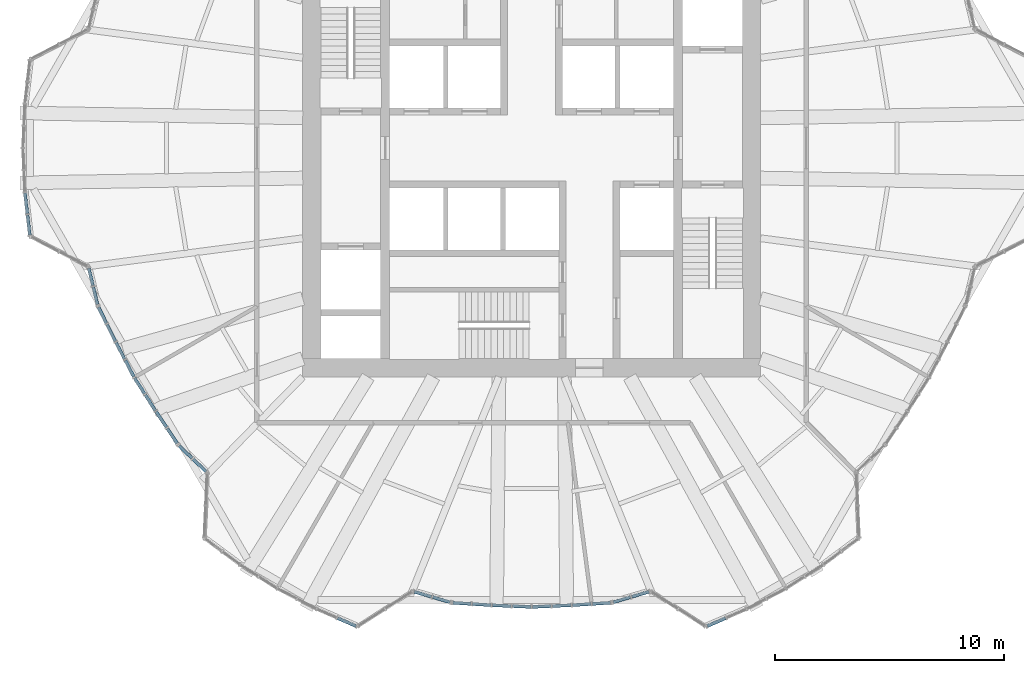
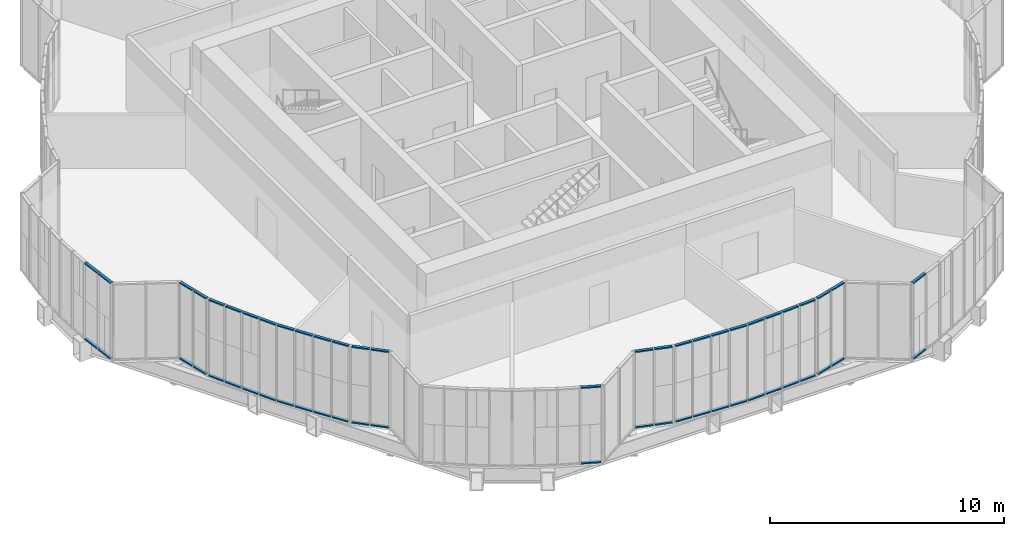
# One storey, part 9 of 24: 56 members, 15 elements without a shape of their own.
"""IFC4 building model written with IfcOpenShell, lengths in metres."""

from ifc_helpers import new_model, si_unit, direction, frame, origin, origin_2d, place, context, subcontext, project, spatial, rectangle, extrude, material, material_profile, profile_set, type_object, element, aggregate, save


model = new_model("IFC4")

# Units and contexts
model_context = context("Model", 3, precision=1e-05, world=origin(), true_north=direction((0.0, 1.0)))
body_context = subcontext(model_context, "Body", "Model", "MODEL_VIEW")
ifc_project = project(units=[si_unit("LENGTHUNIT", "METRE"), si_unit("AREAUNIT", "SQUARE_METRE"), si_unit("VOLUMEUNIT", "CUBIC_METRE"), si_unit("PLANEANGLEUNIT", "RADIAN"), si_unit("MASSUNIT", "GRAM", prefix="KILO")], contexts=[model_context])

# Site, building, storey
site_placement = place(None, origin())
site = spatial("IfcSite", under=ifc_project, at=site_placement, CompositionType="ELEMENT")
building_placement = place(site_placement, origin())
building = spatial("IfcBuilding", under=site, at=building_placement, Name="Golbaran Civic Tower", CompositionType="ELEMENT")
storey_placement = place(building_placement, frame((0.0, 0.0, 25.0)))
storey = spatial("IfcBuildingStorey", under=building, at=storey_placement, Name="L05", CompositionType="ELEMENT", Elevation=25.0)

# Curtain wall, members
ifc_material_1 = material(Name="Aluminium and glass", Category="aluminium")
curtain_wall_type = type_object("IfcCurtainWallType", Name="INNER SKIN CURTAIN WALL", PredefinedType="NOTDEFINED", material=ifc_material_1)
curtain_wall_1_placement = place(storey_placement, origin())
curtain_wall_1 = element("IfcCurtainWall", 1, at=curtain_wall_1_placement, inside=storey, type_object=curtain_wall_type, Name="Inner skin L05 facet 38 CW1", ObjectType="INNER SKIN", PredefinedType="USERDEFINED")
ifc_material_2 = material(Name="Aluminium", Category="aluminium")
ifc_material_profile = material_profile(ifc_material_2, rectangle(XDim=0.139892578125, YDim=0.06494140625, at=origin_2d()), Name="INNER SKIN CURTAIN WALL TRANSOM")
ifc_profile_set = profile_set([ifc_material_profile], Name="Aluminium")
member_type = type_object("IfcMemberType", Name="INNER SKIN CURTAIN WALL TRANSOM", PredefinedType="USERDEFINED", material=ifc_profile_set)
member_1_placement = place(storey_placement, frame((-22.1328125, -1.968994140625, 0.032470703125), z_axis=(0.11490051684, -0.993377003574, 0.0), x_axis=(0.993377003574, 0.11490051684, 0.0)))
member_1 = element("IfcMember", 2, at=member_1_placement, type_object=member_type, Name="CW1 transom 1.1", ObjectType="TRANSOM", PredefinedType="USERDEFINED", context=body_context, shape_type="SweptSolid", body=[
    extrude(rectangle(XDim=0.139892578125, YDim=0.06494140625, at=origin_2d()), origin(), (0.0, 0.0, 1.0), 0.9052734375),
])
member_2_placement = place(storey_placement, frame((-22.1328125, -1.968994140625, 3.967529296875), z_axis=(0.11490051684, -0.993377003574, 0.0), x_axis=(0.993377003574, 0.11490051684, 0.0)))
member_2 = element("IfcMember", 3, at=member_2_placement, type_object=member_type, Name="CW1 transom 1.2", ObjectType="TRANSOM", PredefinedType="USERDEFINED", context=body_context, shape_type="SweptSolid", body=[
    extrude(rectangle(XDim=0.139892578125, YDim=0.06494140625, at=origin_2d()), origin(), (0.0, 0.0, 1.0), 0.9052734375),
])
member_3_placement = place(storey_placement, frame((-22.021484375, -2.9326171875, 0.032470703125), z_axis=(0.114698436008, -0.993400356743, 0.0), x_axis=(0.993400356743, 0.114698436008, 0.0)))
member_3 = element("IfcMember", 4, at=member_3_placement, type_object=member_type, Name="CW1 transom 2.1", ObjectType="TRANSOM", PredefinedType="USERDEFINED", context=body_context, shape_type="SweptSolid", body=[
    extrude(rectangle(XDim=0.139892578125, YDim=0.06494140625, at=origin_2d()), origin(), (0.0, 0.0, 1.0), 0.872802734375),
])
member_4_placement = place(storey_placement, frame((-22.021484375, -2.9326171875, 3.967529296875), z_axis=(0.114698436008, -0.993400356743, 0.0), x_axis=(0.993400356743, 0.114698436008, 0.0)))
member_4 = element("IfcMember", 5, at=member_4_placement, type_object=member_type, Name="CW1 transom 2.2", ObjectType="TRANSOM", PredefinedType="USERDEFINED", context=body_context, shape_type="SweptSolid", body=[
    extrude(rectangle(XDim=0.139892578125, YDim=0.06494140625, at=origin_2d()), origin(), (0.0, 0.0, 1.0), 0.872802734375),
])
aggregate(curtain_wall_1, [member_1, member_2, member_3, member_4])

curtain_wall_2_placement = place(storey_placement, origin())
curtain_wall_2 = element("IfcCurtainWall", 6, at=curtain_wall_2_placement, inside=storey, type_object=curtain_wall_type, Name="Inner skin L05 facet 40 CW1", ObjectType="INNER SKIN", PredefinedType="USERDEFINED")
member_5_placement = place(storey_placement, frame((-19.3486328125, -5.251708984375, 0.032470703125), z_axis=(0.235546378815, -0.971863109407, 0.0), x_axis=(0.971863109407, 0.235546378815, 0.0)))
member_5 = element("IfcMember", 7, at=member_5_placement, type_object=member_type, Name="CW1 transom 1.1", ObjectType="TRANSOM", PredefinedType="USERDEFINED", context=body_context, shape_type="SweptSolid", body=[
    extrude(rectangle(XDim=0.139892578125, YDim=0.06494140625, at=origin_2d()), origin(), (0.0, 0.0, 1.0), 0.781494140625),
])
member_6_placement = place(storey_placement, frame((-19.3486328125, -5.251708984375, 3.967529296875), z_axis=(0.235546378815, -0.971863109407, 0.0), x_axis=(0.971863109407, 0.235546378815, 0.0)))
member_6 = element("IfcMember", 8, at=member_6_placement, type_object=member_type, Name="CW1 transom 1.2", ObjectType="TRANSOM", PredefinedType="USERDEFINED", context=body_context, shape_type="SweptSolid", body=[
    extrude(rectangle(XDim=0.139892578125, YDim=0.06494140625, at=origin_2d()), origin(), (0.0, 0.0, 1.0), 0.781494140625),
])
member_7_placement = place(storey_placement, frame((-19.149169921875, -6.074462890625, 0.032470703125), z_axis=(0.235546378815, -0.971863109407, 0.0), x_axis=(0.971863109407, 0.235546378815, 0.0)))
member_7 = element("IfcMember", 9, at=member_7_placement, type_object=member_type, Name="CW1 transom 2.1", ObjectType="TRANSOM", PredefinedType="USERDEFINED", context=body_context, shape_type="SweptSolid", body=[
    extrude(rectangle(XDim=0.139892578125, YDim=0.06494140625, at=origin_2d()), origin(), (0.0, 0.0, 1.0), 0.781494140625),
])
member_8_placement = place(storey_placement, frame((-19.149169921875, -6.074462890625, 3.967529296875), z_axis=(0.235546378815, -0.971863109407, 0.0), x_axis=(0.971863109407, 0.235546378815, 0.0)))
member_8 = element("IfcMember", 10, at=member_8_placement, type_object=member_type, Name="CW1 transom 2.2", ObjectType="TRANSOM", PredefinedType="USERDEFINED", context=body_context, shape_type="SweptSolid", body=[
    extrude(rectangle(XDim=0.139892578125, YDim=0.06494140625, at=origin_2d()), origin(), (0.0, 0.0, 1.0), 0.781494140625),
])
aggregate(curtain_wall_2, [member_5, member_6, member_7, member_8])

curtain_wall_3_placement = place(storey_placement, origin())
curtain_wall_3 = element("IfcCurtainWall", 11, at=curtain_wall_3_placement, inside=storey, type_object=curtain_wall_type, Name="Inner skin L05 facet 41 CW1", ObjectType="INNER SKIN", PredefinedType="USERDEFINED")
member_9_placement = place(storey_placement, frame((-18.9208984375, -6.955322265625, 0.032470703125), z_axis=(0.44421218096, -0.895921613919, 0.0), x_axis=(0.895921613919, 0.44421218096, 0.0)))
member_9 = element("IfcMember", 12, at=member_9_placement, type_object=member_type, Name="CW1 transom 1.1", ObjectType="TRANSOM", PredefinedType="USERDEFINED", context=body_context, shape_type="SweptSolid", body=[
    extrude(rectangle(XDim=0.139892578125, YDim=0.06494140625, at=origin_2d()), origin(), (0.0, 0.0, 1.0), 0.781494140625),
])
member_10_placement = place(storey_placement, frame((-18.9208984375, -6.955322265625, 3.967529296875), z_axis=(0.44421218096, -0.895921613919, 0.0), x_axis=(0.895921613919, 0.44421218096, 0.0)))
member_10 = element("IfcMember", 13, at=member_10_placement, type_object=member_type, Name="CW1 transom 1.2", ObjectType="TRANSOM", PredefinedType="USERDEFINED", context=body_context, shape_type="SweptSolid", body=[
    extrude(rectangle(XDim=0.139892578125, YDim=0.06494140625, at=origin_2d()), origin(), (0.0, 0.0, 1.0), 0.781494140625),
])
member_11_placement = place(storey_placement, frame((-18.544921875, -7.7138671875, 0.032470703125), z_axis=(0.444452384099, -0.895802477262, 0.0), x_axis=(0.895802477262, 0.444452384099, 0.0)))
member_11 = element("IfcMember", 14, at=member_11_placement, type_object=member_type, Name="CW1 transom 2.1", ObjectType="TRANSOM", PredefinedType="USERDEFINED", context=body_context, shape_type="SweptSolid", body=[
    extrude(rectangle(XDim=0.139892578125, YDim=0.06494140625, at=origin_2d()), origin(), (0.0, 0.0, 1.0), 0.81396484375),
])
member_12_placement = place(storey_placement, frame((-18.544921875, -7.7138671875, 3.967529296875), z_axis=(0.444452384099, -0.895802477262, 0.0), x_axis=(0.895802477262, 0.444452384099, 0.0)))
member_12 = element("IfcMember", 15, at=member_12_placement, type_object=member_type, Name="CW1 transom 2.2", ObjectType="TRANSOM", PredefinedType="USERDEFINED", context=body_context, shape_type="SweptSolid", body=[
    extrude(rectangle(XDim=0.139892578125, YDim=0.06494140625, at=origin_2d()), origin(), (0.0, 0.0, 1.0), 0.81396484375),
])
aggregate(curtain_wall_3, [member_9, member_10, member_11, member_12])

curtain_wall_4_placement = place(storey_placement, origin())
curtain_wall_4 = element("IfcCurtainWall", 16, at=curtain_wall_4_placement, inside=storey, type_object=curtain_wall_type, Name="Inner skin L05 facet 42 CW1", ObjectType="INNER SKIN", PredefinedType="USERDEFINED")
member_13_placement = place(storey_placement, frame((-18.15380859375, -8.5009765625, 0.032470703125), z_axis=(0.461751533004, -0.887009313237, 0.0), x_axis=(0.887009313237, 0.461751533004, 0.0)))
member_13 = element("IfcMember", 17, at=member_13_placement, type_object=member_type, Name="CW1 transom 1.1", ObjectType="TRANSOM", PredefinedType="USERDEFINED", context=body_context, shape_type="SweptSolid", body=[
    extrude(rectangle(XDim=0.139892578125, YDim=0.06494140625, at=origin_2d()), origin(), (0.0, 0.0, 1.0), 0.8095703125),
])
member_14_placement = place(storey_placement, frame((-18.15380859375, -8.5009765625, 3.967529296875), z_axis=(0.461751533004, -0.887009313237, 0.0), x_axis=(0.887009313237, 0.461751533004, 0.0)))
member_14 = element("IfcMember", 18, at=member_14_placement, type_object=member_type, Name="CW1 transom 1.2", ObjectType="TRANSOM", PredefinedType="USERDEFINED", context=body_context, shape_type="SweptSolid", body=[
    extrude(rectangle(XDim=0.139892578125, YDim=0.06494140625, at=origin_2d()), origin(), (0.0, 0.0, 1.0), 0.8095703125),
])
member_15_placement = place(storey_placement, frame((-17.75, -9.276611328125, 0.032470703125), z_axis=(0.461751533004, -0.887009313237, 0.0), x_axis=(0.887009313237, 0.461751533004, 0.0)))
member_15 = element("IfcMember", 19, at=member_15_placement, type_object=member_type, Name="CW1 transom 2.1", ObjectType="TRANSOM", PredefinedType="USERDEFINED", context=body_context, shape_type="SweptSolid", body=[
    extrude(rectangle(XDim=0.139892578125, YDim=0.06494140625, at=origin_2d()), origin(), (0.0, 0.0, 1.0), 0.8095703125),
])
member_16_placement = place(storey_placement, frame((-17.75, -9.276611328125, 3.967529296875), z_axis=(0.461751533004, -0.887009313237, 0.0), x_axis=(0.887009313237, 0.461751533004, 0.0)))
member_16 = element("IfcMember", 20, at=member_16_placement, type_object=member_type, Name="CW1 transom 2.2", ObjectType="TRANSOM", PredefinedType="USERDEFINED", context=body_context, shape_type="SweptSolid", body=[
    extrude(rectangle(XDim=0.139892578125, YDim=0.06494140625, at=origin_2d()), origin(), (0.0, 0.0, 1.0), 0.8095703125),
])
aggregate(curtain_wall_4, [member_13, member_14, member_15, member_16])

curtain_wall_5_placement = place(storey_placement, origin())
curtain_wall_5 = element("IfcCurtainWall", 21, at=curtain_wall_5_placement, inside=storey, type_object=curtain_wall_type, Name="Inner skin L05 facet 43 CW1", ObjectType="INNER SKIN", PredefinedType="USERDEFINED")
member_17_placement = place(storey_placement, frame((-17.34375, -10.051025390625, 0.032470703125), z_axis=(0.537246297661, -0.843425406097, 0.0), x_axis=(0.843425406097, 0.537246297661, 0.0)))
member_17 = element("IfcMember", 22, at=member_17_placement, type_object=member_type, Name="CW1 transom 1.1", ObjectType="TRANSOM", PredefinedType="USERDEFINED", context=body_context, shape_type="SweptSolid", body=[
    extrude(rectangle(XDim=0.139892578125, YDim=0.06494140625, at=origin_2d()), origin(), (0.0, 0.0, 1.0), 0.809326171875),
])
member_18_placement = place(storey_placement, frame((-17.34375, -10.051025390625, 3.967529296875), z_axis=(0.537246297661, -0.843425406097, 0.0), x_axis=(0.843425406097, 0.537246297661, 0.0)))
member_18 = element("IfcMember", 23, at=member_18_placement, type_object=member_type, Name="CW1 transom 1.2", ObjectType="TRANSOM", PredefinedType="USERDEFINED", context=body_context, shape_type="SweptSolid", body=[
    extrude(rectangle(XDim=0.139892578125, YDim=0.06494140625, at=origin_2d()), origin(), (0.0, 0.0, 1.0), 0.809326171875),
])
member_19_placement = place(storey_placement, frame((-16.8740234375, -10.788330078125, 0.032470703125), z_axis=(0.537324161916, -0.843375802962, 0.0), x_axis=(0.843375802962, 0.537324161916, 0.0)))
member_19 = element("IfcMember", 24, at=member_19_placement, type_object=member_type, Name="CW1 transom 2.1", ObjectType="TRANSOM", PredefinedType="USERDEFINED", context=body_context, shape_type="SweptSolid", body=[
    extrude(rectangle(XDim=0.139892578125, YDim=0.06494140625, at=origin_2d()), origin(), (0.0, 0.0, 1.0), 0.8095703125),
])
member_20_placement = place(storey_placement, frame((-16.8740234375, -10.788330078125, 3.967529296875), z_axis=(0.537324161916, -0.843375802962, 0.0), x_axis=(0.843375802962, 0.537324161916, 0.0)))
member_20 = element("IfcMember", 25, at=member_20_placement, type_object=member_type, Name="CW1 transom 2.2", ObjectType="TRANSOM", PredefinedType="USERDEFINED", context=body_context, shape_type="SweptSolid", body=[
    extrude(rectangle(XDim=0.139892578125, YDim=0.06494140625, at=origin_2d()), origin(), (0.0, 0.0, 1.0), 0.8095703125),
])
aggregate(curtain_wall_5, [member_17, member_18, member_19, member_20])

curtain_wall_6_placement = place(storey_placement, origin())
curtain_wall_6 = element("IfcCurtainWall", 26, at=curtain_wall_6_placement, inside=storey, type_object=curtain_wall_type, Name="Inner skin L05 facet 44 CW1", ObjectType="INNER SKIN", PredefinedType="USERDEFINED")
member_21_placement = place(storey_placement, frame((-16.403564453125, -11.525634765625, 0.032470703125), z_axis=(0.553730710474, -0.832695802966, 0.0), x_axis=(0.832695802966, 0.553730710474, 0.0)))
member_21 = element("IfcMember", 27, at=member_21_placement, type_object=member_type, Name="CW1 transom 1.1", ObjectType="TRANSOM", PredefinedType="USERDEFINED", context=body_context, shape_type="SweptSolid", body=[
    extrude(rectangle(XDim=0.139892578125, YDim=0.06494140625, at=origin_2d()), origin(), (0.0, 0.0, 1.0), 0.81396484375),
])
member_22_placement = place(storey_placement, frame((-16.403564453125, -11.525634765625, 3.967529296875), z_axis=(0.553730710474, -0.832695802966, 0.0), x_axis=(0.832695802966, 0.553730710474, 0.0)))
member_22 = element("IfcMember", 28, at=member_22_placement, type_object=member_type, Name="CW1 transom 1.2", ObjectType="TRANSOM", PredefinedType="USERDEFINED", context=body_context, shape_type="SweptSolid", body=[
    extrude(rectangle(XDim=0.139892578125, YDim=0.06494140625, at=origin_2d()), origin(), (0.0, 0.0, 1.0), 0.81396484375),
])
member_23_placement = place(storey_placement, frame((-15.916748046875, -12.257568359375, 0.032470703125), z_axis=(0.553546241668, -0.8328184426, 0.0), x_axis=(0.8328184426, 0.553546241668, 0.0)))
member_23 = element("IfcMember", 29, at=member_23_placement, type_object=member_type, Name="CW1 transom 2.1", ObjectType="TRANSOM", PredefinedType="USERDEFINED", context=body_context, shape_type="SweptSolid", body=[
    extrude(rectangle(XDim=0.139892578125, YDim=0.06494140625, at=origin_2d()), origin(), (0.0, 0.0, 1.0), 0.781494140625),
])
member_24_placement = place(storey_placement, frame((-15.916748046875, -12.257568359375, 3.967529296875), z_axis=(0.553546241668, -0.8328184426, 0.0), x_axis=(0.8328184426, 0.553546241668, 0.0)))
member_24 = element("IfcMember", 30, at=member_24_placement, type_object=member_type, Name="CW1 transom 2.2", ObjectType="TRANSOM", PredefinedType="USERDEFINED", context=body_context, shape_type="SweptSolid", body=[
    extrude(rectangle(XDim=0.139892578125, YDim=0.06494140625, at=origin_2d()), origin(), (0.0, 0.0, 1.0), 0.781494140625),
])
aggregate(curtain_wall_6, [member_21, member_22, member_23, member_24])

curtain_wall_7_placement = place(storey_placement, origin())
curtain_wall_7 = element("IfcCurtainWall", 31, at=curtain_wall_7_placement, inside=storey, type_object=curtain_wall_type, Name="Inner skin L05 facet 45 CW1", ObjectType="INNER SKIN", PredefinedType="USERDEFINED")
member_25_placement = place(storey_placement, frame((-15.40087890625, -13.00732421875, 0.032470703125), z_axis=(0.723929850594, -0.689873590898, 0.0), x_axis=(0.689873590898, 0.723929850594, 0.0)))
member_25 = element("IfcMember", 32, at=member_25_placement, type_object=member_type, Name="CW1 transom 1.1", ObjectType="TRANSOM", PredefinedType="USERDEFINED", context=body_context, shape_type="SweptSolid", body=[
    extrude(rectangle(XDim=0.139892578125, YDim=0.06494140625, at=origin_2d()), origin(), (0.0, 0.0, 1.0), 0.781494140625),
])
member_26_placement = place(storey_placement, frame((-15.40087890625, -13.00732421875, 3.967529296875), z_axis=(0.723929850594, -0.689873590898, 0.0), x_axis=(0.689873590898, 0.723929850594, 0.0)))
member_26 = element("IfcMember", 33, at=member_26_placement, type_object=member_type, Name="CW1 transom 1.2", ObjectType="TRANSOM", PredefinedType="USERDEFINED", context=body_context, shape_type="SweptSolid", body=[
    extrude(rectangle(XDim=0.139892578125, YDim=0.06494140625, at=origin_2d()), origin(), (0.0, 0.0, 1.0), 0.781494140625),
])
member_27_placement = place(storey_placement, frame((-14.7880859375, -13.59130859375, 0.032470703125), z_axis=(0.72377382553, -0.690037281223, 0.0), x_axis=(0.690037281223, 0.72377382553, 0.0)))
member_27 = element("IfcMember", 34, at=member_27_placement, type_object=member_type, Name="CW1 transom 2.1", ObjectType="TRANSOM", PredefinedType="USERDEFINED", context=body_context, shape_type="SweptSolid", body=[
    extrude(rectangle(XDim=0.139892578125, YDim=0.06494140625, at=origin_2d()), origin(), (0.0, 0.0, 1.0), 0.781494140625),
])
member_28_placement = place(storey_placement, frame((-14.7880859375, -13.59130859375, 3.967529296875), z_axis=(0.72377382553, -0.690037281223, 0.0), x_axis=(0.690037281223, 0.72377382553, 0.0)))
member_28 = element("IfcMember", 35, at=member_28_placement, type_object=member_type, Name="CW1 transom 2.2", ObjectType="TRANSOM", PredefinedType="USERDEFINED", context=body_context, shape_type="SweptSolid", body=[
    extrude(rectangle(XDim=0.139892578125, YDim=0.06494140625, at=origin_2d()), origin(), (0.0, 0.0, 1.0), 0.781494140625),
])
aggregate(curtain_wall_7, [member_25, member_26, member_27, member_28])

curtain_wall_8_placement = place(storey_placement, origin())
curtain_wall_8 = element("IfcCurtainWall", 36, at=curtain_wall_8_placement, inside=storey, type_object=curtain_wall_type, Name="Inner skin L05 facet 50 CW1", ObjectType="INNER SKIN", PredefinedType="USERDEFINED")
member_29_placement = place(storey_placement, frame((-8.470947265625, -20.537353515625, 0.032470703125), z_axis=(0.917589642421, -0.397528927402, 0.0), x_axis=(0.397528927402, 0.917589642421, 0.0)))
member_29 = element("IfcMember", 37, at=member_29_placement, type_object=member_type, Name="CW1 transom 2.1", ObjectType="TRANSOM", PredefinedType="USERDEFINED", context=body_context, shape_type="SweptSolid", body=[
    extrude(rectangle(XDim=0.139892578125, YDim=0.06494140625, at=origin_2d()), origin(), (0.0, 0.0, 1.0), 0.872802734375),
])
member_30_placement = place(storey_placement, frame((-8.470947265625, -20.537353515625, 3.967529296875), z_axis=(0.917589642421, -0.397528927402, 0.0), x_axis=(0.397528927402, 0.917589642421, 0.0)))
member_30 = element("IfcMember", 38, at=member_30_placement, type_object=member_type, Name="CW1 transom 2.2", ObjectType="TRANSOM", PredefinedType="USERDEFINED", context=body_context, shape_type="SweptSolid", body=[
    extrude(rectangle(XDim=0.139892578125, YDim=0.06494140625, at=origin_2d()), origin(), (0.0, 0.0, 1.0), 0.872802734375),
])
aggregate(curtain_wall_8, [member_29, member_30])

curtain_wall_9_placement = place(storey_placement, origin())
curtain_wall_9 = element("IfcCurtainWall", 39, at=curtain_wall_9_placement, inside=storey, type_object=curtain_wall_type, Name="Inner skin L05 facet 52 CW1", ObjectType="INNER SKIN", PredefinedType="USERDEFINED")
member_31_placement = place(storey_placement, frame((-5.126220703125, -19.38232421875, 0.032470703125), z_axis=(0.959469910525, -0.28181109062, 0.0), x_axis=(0.28181109062, 0.959469910525, 0.0)))
member_31 = element("IfcMember", 40, at=member_31_placement, type_object=member_type, Name="CW1 transom 1.1", ObjectType="TRANSOM", PredefinedType="USERDEFINED", context=body_context, shape_type="SweptSolid", body=[
    extrude(rectangle(XDim=0.139892578125, YDim=0.06494140625, at=origin_2d()), origin(), (0.0, 0.0, 1.0), 0.781494140625),
])
member_32_placement = place(storey_placement, frame((-5.126220703125, -19.38232421875, 3.967529296875), z_axis=(0.959469910525, -0.28181109062, 0.0), x_axis=(0.28181109062, 0.959469910525, 0.0)))
member_32 = element("IfcMember", 41, at=member_32_placement, type_object=member_type, Name="CW1 transom 1.2", ObjectType="TRANSOM", PredefinedType="USERDEFINED", context=body_context, shape_type="SweptSolid", body=[
    extrude(rectangle(XDim=0.139892578125, YDim=0.06494140625, at=origin_2d()), origin(), (0.0, 0.0, 1.0), 0.781494140625),
])
member_33_placement = place(storey_placement, frame((-4.31396484375, -19.620849609375, 0.032470703125), z_axis=(0.959385397379, -0.282098669434, 0.0), x_axis=(0.282098669434, 0.959385397379, 0.0)))
member_33 = element("IfcMember", 42, at=member_33_placement, type_object=member_type, Name="CW1 transom 2.1", ObjectType="TRANSOM", PredefinedType="USERDEFINED", context=body_context, shape_type="SweptSolid", body=[
    extrude(rectangle(XDim=0.139892578125, YDim=0.06494140625, at=origin_2d()), origin(), (0.0, 0.0, 1.0), 0.781494140625),
])
member_34_placement = place(storey_placement, frame((-4.31396484375, -19.620849609375, 3.967529296875), z_axis=(0.959385397379, -0.282098669434, 0.0), x_axis=(0.282098669434, 0.959385397379, 0.0)))
member_34 = element("IfcMember", 43, at=member_34_placement, type_object=member_type, Name="CW1 transom 2.2", ObjectType="TRANSOM", PredefinedType="USERDEFINED", context=body_context, shape_type="SweptSolid", body=[
    extrude(rectangle(XDim=0.139892578125, YDim=0.06494140625, at=origin_2d()), origin(), (0.0, 0.0, 1.0), 0.781494140625),
])
aggregate(curtain_wall_9, [member_31, member_32, member_33, member_34])

curtain_wall_10_placement = place(storey_placement, origin())
curtain_wall_10 = element("IfcCurtainWall", 44, at=curtain_wall_10_placement, inside=storey, type_object=curtain_wall_type, Name="Inner skin L05 facet 53 CW1", ObjectType="INNER SKIN", PredefinedType="USERDEFINED")
member_35_placement = place(storey_placement, frame((-3.43701171875, -19.86376953125, 0.032470703125), z_axis=(0.998007348224, -0.063097804176, 0.0), x_axis=(0.063097804176, 0.998007348224, 0.0)))
member_35 = element("IfcMember", 45, at=member_35_placement, type_object=member_type, Name="CW1 transom 1.1", ObjectType="TRANSOM", PredefinedType="USERDEFINED", context=body_context, shape_type="SweptSolid", body=[
    extrude(rectangle(XDim=0.139892578125, YDim=0.06494140625, at=origin_2d()), origin(), (0.0, 0.0, 1.0), 0.781494140625),
])
member_36_placement = place(storey_placement, frame((-3.43701171875, -19.86376953125, 3.967529296875), z_axis=(0.998007348224, -0.063097804176, 0.0), x_axis=(0.063097804176, 0.998007348224, 0.0)))
member_36 = element("IfcMember", 46, at=member_36_placement, type_object=member_type, Name="CW1 transom 1.2", ObjectType="TRANSOM", PredefinedType="USERDEFINED", context=body_context, shape_type="SweptSolid", body=[
    extrude(rectangle(XDim=0.139892578125, YDim=0.06494140625, at=origin_2d()), origin(), (0.0, 0.0, 1.0), 0.781494140625),
])
member_37_placement = place(storey_placement, frame((-2.592041015625, -19.917236328125, 0.032470703125), z_axis=(0.997996167705, -0.06327439645, 0.0), x_axis=(0.06327439645, 0.997996167705, 0.0)))
member_37 = element("IfcMember", 47, at=member_37_placement, type_object=member_type, Name="CW1 transom 2.1", ObjectType="TRANSOM", PredefinedType="USERDEFINED", context=body_context, shape_type="SweptSolid", body=[
    extrude(rectangle(XDim=0.139892578125, YDim=0.06494140625, at=origin_2d()), origin(), (0.0, 0.0, 1.0), 0.814208984375),
])
member_38_placement = place(storey_placement, frame((-2.592041015625, -19.917236328125, 3.967529296875), z_axis=(0.997996167705, -0.06327439645, 0.0), x_axis=(0.06327439645, 0.997996167705, 0.0)))
member_38 = element("IfcMember", 48, at=member_38_placement, type_object=member_type, Name="CW1 transom 2.2", ObjectType="TRANSOM", PredefinedType="USERDEFINED", context=body_context, shape_type="SweptSolid", body=[
    extrude(rectangle(XDim=0.139892578125, YDim=0.06494140625, at=origin_2d()), origin(), (0.0, 0.0, 1.0), 0.814208984375),
])
aggregate(curtain_wall_10, [member_35, member_36, member_37, member_38])

curtain_wall_11_placement = place(storey_placement, origin())
curtain_wall_11 = element("IfcCurtainWall", 49, at=curtain_wall_11_placement, inside=storey, type_object=curtain_wall_type, Name="Inner skin L05 facet 54 CW1", ObjectType="INNER SKIN", PredefinedType="USERDEFINED")
member_39_placement = place(storey_placement, frame((-1.71484375, -19.97216796875, 0.032470703125), z_axis=(0.999056727244, -0.043424137858, 0.0), x_axis=(0.043424137858, 0.999056727244, 0.0)))
member_39 = element("IfcMember", 50, at=member_39_placement, type_object=member_type, Name="CW1 transom 1.1", ObjectType="TRANSOM", PredefinedType="USERDEFINED", context=body_context, shape_type="SweptSolid", body=[
    extrude(rectangle(XDim=0.139892578125, YDim=0.06494140625, at=origin_2d()), origin(), (0.0, 0.0, 1.0), 0.8095703125),
])
member_40_placement = place(storey_placement, frame((-1.71484375, -19.97216796875, 3.967529296875), z_axis=(0.999056727244, -0.043424137858, 0.0), x_axis=(0.043424137858, 0.999056727244, 0.0)))
member_40 = element("IfcMember", 51, at=member_40_placement, type_object=member_type, Name="CW1 transom 1.2", ObjectType="TRANSOM", PredefinedType="USERDEFINED", context=body_context, shape_type="SweptSolid", body=[
    extrude(rectangle(XDim=0.139892578125, YDim=0.06494140625, at=origin_2d()), origin(), (0.0, 0.0, 1.0), 0.8095703125),
])
member_41_placement = place(storey_placement, frame((-0.841064453125, -20.01025390625, 0.032470703125), z_axis=(0.999043022803, -0.04373829659, 0.0), x_axis=(0.04373829659, 0.999043022803, 0.0)))
member_41 = element("IfcMember", 52, at=member_41_placement, type_object=member_type, Name="CW1 transom 2.1", ObjectType="TRANSOM", PredefinedType="USERDEFINED", context=body_context, shape_type="SweptSolid", body=[
    extrude(rectangle(XDim=0.139892578125, YDim=0.06494140625, at=origin_2d()), origin(), (0.0, 0.0, 1.0), 0.809326171875),
])
member_42_placement = place(storey_placement, frame((-0.841064453125, -20.01025390625, 3.967529296875), z_axis=(0.999043022803, -0.04373829659, 0.0), x_axis=(0.04373829659, 0.999043022803, 0.0)))
member_42 = element("IfcMember", 53, at=member_42_placement, type_object=member_type, Name="CW1 transom 2.2", ObjectType="TRANSOM", PredefinedType="USERDEFINED", context=body_context, shape_type="SweptSolid", body=[
    extrude(rectangle(XDim=0.139892578125, YDim=0.06494140625, at=origin_2d()), origin(), (0.0, 0.0, 1.0), 0.809326171875),
])
aggregate(curtain_wall_11, [member_39, member_40, member_41, member_42])

curtain_wall_12_placement = place(storey_placement, origin())
curtain_wall_12 = element("IfcCurtainWall", 54, at=curtain_wall_12_placement, inside=storey, type_object=curtain_wall_type, Name="Inner skin L05 facet 55 CW1", ObjectType="INNER SKIN", PredefinedType="USERDEFINED")
member_43_placement = place(storey_placement, frame((0.032470703125, -20.045654296875, 0.032470703125), z_axis=(0.999043022803, 0.04373829659, 0.0), x_axis=(-0.04373829659, 0.999043022803, 0.0)))
member_43 = element("IfcMember", 55, at=member_43_placement, type_object=member_type, Name="CW1 transom 1.1", ObjectType="TRANSOM", PredefinedType="USERDEFINED", context=body_context, shape_type="SweptSolid", body=[
    extrude(rectangle(XDim=0.139892578125, YDim=0.06494140625, at=origin_2d()), origin(), (0.0, 0.0, 1.0), 0.809326171875),
])
member_44_placement = place(storey_placement, frame((0.032470703125, -20.045654296875, 3.967529296875), z_axis=(0.999043022803, 0.04373829659, 0.0), x_axis=(-0.04373829659, 0.999043022803, 0.0)))
member_44 = element("IfcMember", 56, at=member_44_placement, type_object=member_type, Name="CW1 transom 1.2", ObjectType="TRANSOM", PredefinedType="USERDEFINED", context=body_context, shape_type="SweptSolid", body=[
    extrude(rectangle(XDim=0.139892578125, YDim=0.06494140625, at=origin_2d()), origin(), (0.0, 0.0, 1.0), 0.809326171875),
])
member_45_placement = place(storey_placement, frame((0.906005859375, -20.00732421875, 0.032470703125), z_axis=(0.999056727244, 0.043424137858, 0.0), x_axis=(-0.043424137858, 0.999056727244, 0.0)))
member_45 = element("IfcMember", 57, at=member_45_placement, type_object=member_type, Name="CW1 transom 2.1", ObjectType="TRANSOM", PredefinedType="USERDEFINED", context=body_context, shape_type="SweptSolid", body=[
    extrude(rectangle(XDim=0.139892578125, YDim=0.06494140625, at=origin_2d()), origin(), (0.0, 0.0, 1.0), 0.8095703125),
])
member_46_placement = place(storey_placement, frame((0.906005859375, -20.00732421875, 3.967529296875), z_axis=(0.999056727244, 0.043424137858, 0.0), x_axis=(-0.043424137858, 0.999056727244, 0.0)))
member_46 = element("IfcMember", 58, at=member_46_placement, type_object=member_type, Name="CW1 transom 2.2", ObjectType="TRANSOM", PredefinedType="USERDEFINED", context=body_context, shape_type="SweptSolid", body=[
    extrude(rectangle(XDim=0.139892578125, YDim=0.06494140625, at=origin_2d()), origin(), (0.0, 0.0, 1.0), 0.8095703125),
])
aggregate(curtain_wall_12, [member_43, member_44, member_45, member_46])

curtain_wall_13_placement = place(storey_placement, origin())
curtain_wall_13 = element("IfcCurtainWall", 59, at=curtain_wall_13_placement, inside=storey, type_object=curtain_wall_type, Name="Inner skin L05 facet 56 CW1", ObjectType="INNER SKIN", PredefinedType="USERDEFINED")
member_47_placement = place(storey_placement, frame((1.779541015625, -19.96875, 0.032470703125), z_axis=(0.997996167705, 0.06327439645, 0.0), x_axis=(-0.06327439645, 0.997996167705, 0.0)))
member_47 = element("IfcMember", 60, at=member_47_placement, type_object=member_type, Name="CW1 transom 1.1", ObjectType="TRANSOM", PredefinedType="USERDEFINED", context=body_context, shape_type="SweptSolid", body=[
    extrude(rectangle(XDim=0.139892578125, YDim=0.06494140625, at=origin_2d()), origin(), (0.0, 0.0, 1.0), 0.814208984375),
])
member_48_placement = place(storey_placement, frame((1.779541015625, -19.96875, 3.967529296875), z_axis=(0.997996167705, 0.06327439645, 0.0), x_axis=(-0.06327439645, 0.997996167705, 0.0)))
member_48 = element("IfcMember", 61, at=member_48_placement, type_object=member_type, Name="CW1 transom 1.2", ObjectType="TRANSOM", PredefinedType="USERDEFINED", context=body_context, shape_type="SweptSolid", body=[
    extrude(rectangle(XDim=0.139892578125, YDim=0.06494140625, at=origin_2d()), origin(), (0.0, 0.0, 1.0), 0.814208984375),
])
member_49_placement = place(storey_placement, frame((2.656982421875, -19.9130859375, 0.032470703125), z_axis=(0.998007348224, 0.063097804176, 0.0), x_axis=(-0.063097804176, 0.998007348224, 0.0)))
member_49 = element("IfcMember", 62, at=member_49_placement, type_object=member_type, Name="CW1 transom 2.1", ObjectType="TRANSOM", PredefinedType="USERDEFINED", context=body_context, shape_type="SweptSolid", body=[
    extrude(rectangle(XDim=0.139892578125, YDim=0.06494140625, at=origin_2d()), origin(), (0.0, 0.0, 1.0), 0.781494140625),
])
member_50_placement = place(storey_placement, frame((2.656982421875, -19.9130859375, 3.967529296875), z_axis=(0.998007348224, 0.063097804176, 0.0), x_axis=(-0.063097804176, 0.998007348224, 0.0)))
member_50 = element("IfcMember", 63, at=member_50_placement, type_object=member_type, Name="CW1 transom 2.2", ObjectType="TRANSOM", PredefinedType="USERDEFINED", context=body_context, shape_type="SweptSolid", body=[
    extrude(rectangle(XDim=0.139892578125, YDim=0.06494140625, at=origin_2d()), origin(), (0.0, 0.0, 1.0), 0.781494140625),
])
aggregate(curtain_wall_13, [member_47, member_48, member_49, member_50])

curtain_wall_14_placement = place(storey_placement, origin())
curtain_wall_14 = element("IfcCurtainWall", 64, at=curtain_wall_14_placement, inside=storey, type_object=curtain_wall_type, Name="Inner skin L05 facet 57 CW1", ObjectType="INNER SKIN", PredefinedType="USERDEFINED")
member_51_placement = place(storey_placement, frame((3.564208984375, -19.84130859375, 0.032470703125), z_axis=(0.959385397379, 0.282098669434, 0.0), x_axis=(-0.282098669434, 0.959385397379, 0.0)))
member_51 = element("IfcMember", 65, at=member_51_placement, type_object=member_type, Name="CW1 transom 1.1", ObjectType="TRANSOM", PredefinedType="USERDEFINED", context=body_context, shape_type="SweptSolid", body=[
    extrude(rectangle(XDim=0.139892578125, YDim=0.06494140625, at=origin_2d()), origin(), (0.0, 0.0, 1.0), 0.781494140625),
])
member_52_placement = place(storey_placement, frame((3.564208984375, -19.84130859375, 3.967529296875), z_axis=(0.959385397379, 0.282098669434, 0.0), x_axis=(-0.282098669434, 0.959385397379, 0.0)))
member_52 = element("IfcMember", 66, at=member_52_placement, type_object=member_type, Name="CW1 transom 1.2", ObjectType="TRANSOM", PredefinedType="USERDEFINED", context=body_context, shape_type="SweptSolid", body=[
    extrude(rectangle(XDim=0.139892578125, YDim=0.06494140625, at=origin_2d()), origin(), (0.0, 0.0, 1.0), 0.781494140625),
])
member_53_placement = place(storey_placement, frame((4.37646484375, -19.6025390625, 0.032470703125), z_axis=(0.959469910525, 0.28181109062, 0.0), x_axis=(-0.28181109062, 0.959469910525, 0.0)))
member_53 = element("IfcMember", 67, at=member_53_placement, type_object=member_type, Name="CW1 transom 2.1", ObjectType="TRANSOM", PredefinedType="USERDEFINED", context=body_context, shape_type="SweptSolid", body=[
    extrude(rectangle(XDim=0.139892578125, YDim=0.06494140625, at=origin_2d()), origin(), (0.0, 0.0, 1.0), 0.781494140625),
])
member_54_placement = place(storey_placement, frame((4.37646484375, -19.6025390625, 3.967529296875), z_axis=(0.959469910525, 0.28181109062, 0.0), x_axis=(-0.28181109062, 0.959469910525, 0.0)))
member_54 = element("IfcMember", 68, at=member_54_placement, type_object=member_type, Name="CW1 transom 2.2", ObjectType="TRANSOM", PredefinedType="USERDEFINED", context=body_context, shape_type="SweptSolid", body=[
    extrude(rectangle(XDim=0.139892578125, YDim=0.06494140625, at=origin_2d()), origin(), (0.0, 0.0, 1.0), 0.781494140625),
])
aggregate(curtain_wall_14, [member_51, member_52, member_53, member_54])

curtain_wall_15_placement = place(storey_placement, origin())
curtain_wall_15 = element("IfcCurtainWall", 69, at=curtain_wall_15_placement, inside=storey, type_object=curtain_wall_type, Name="Inner skin L05 facet 59 CW1", ObjectType="INNER SKIN", PredefinedType="USERDEFINED")
member_55_placement = place(storey_placement, frame((7.670166015625, -20.88427734375, 0.032470703125), z_axis=(0.917589642421, 0.397528927402, 0.0), x_axis=(-0.397528927402, 0.917589642421, 0.0)))
member_55 = element("IfcMember", 70, at=member_55_placement, type_object=member_type, Name="CW1 transom 1.1", ObjectType="TRANSOM", PredefinedType="USERDEFINED", context=body_context, shape_type="SweptSolid", body=[
    extrude(rectangle(XDim=0.139892578125, YDim=0.06494140625, at=origin_2d()), origin(), (0.0, 0.0, 1.0), 0.872802734375),
])
member_56_placement = place(storey_placement, frame((7.670166015625, -20.88427734375, 3.967529296875), z_axis=(0.917589642421, 0.397528927402, 0.0), x_axis=(-0.397528927402, 0.917589642421, 0.0)))
member_56 = element("IfcMember", 71, at=member_56_placement, type_object=member_type, Name="CW1 transom 1.2", ObjectType="TRANSOM", PredefinedType="USERDEFINED", context=body_context, shape_type="SweptSolid", body=[
    extrude(rectangle(XDim=0.139892578125, YDim=0.06494140625, at=origin_2d()), origin(), (0.0, 0.0, 1.0), 0.872802734375),
])
aggregate(curtain_wall_15, [member_55, member_56])

save(model, "model.ifc")
